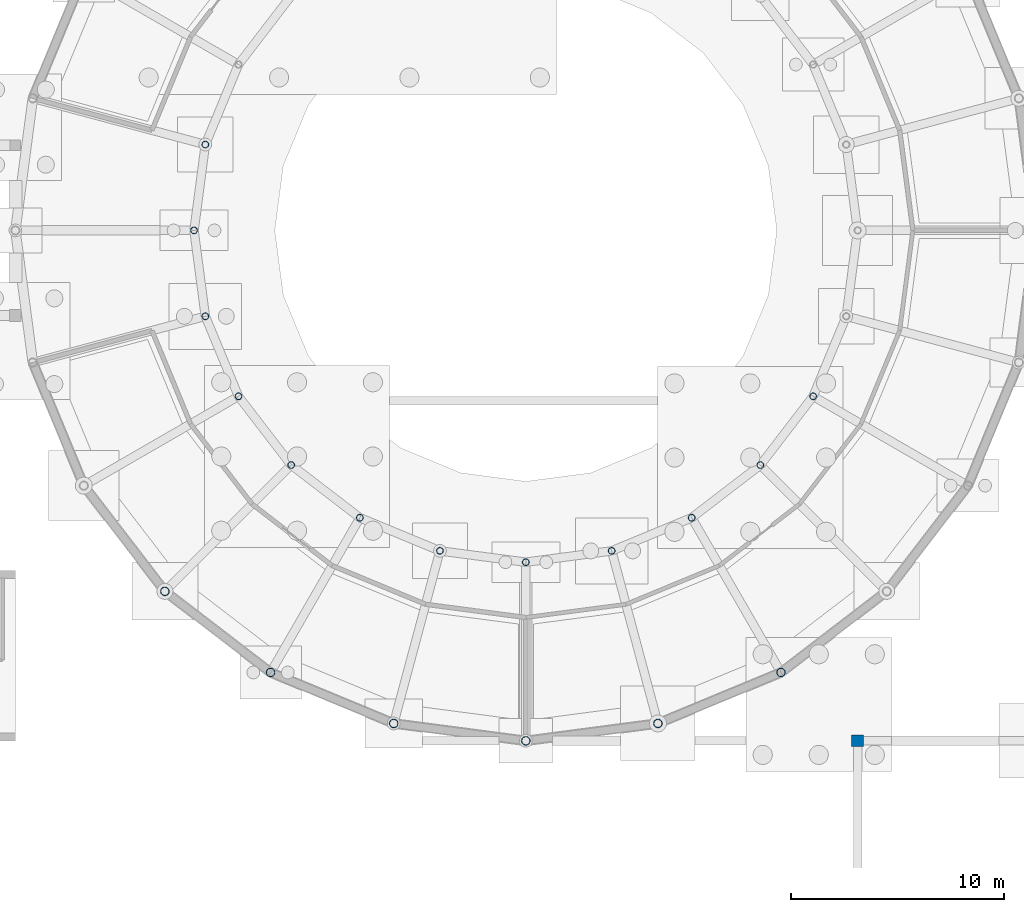
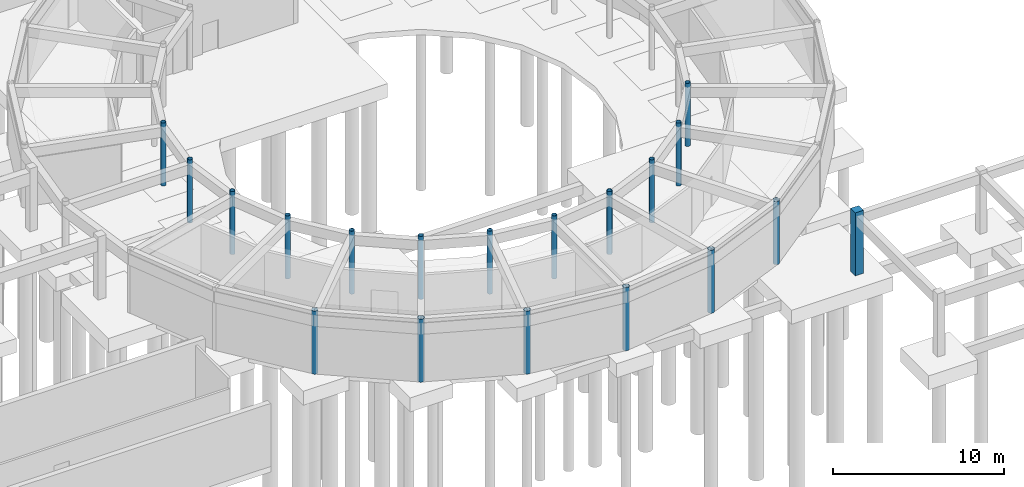
# One storey, part 14 of 43: 19 columns.
"""IFC4 building model written with IfcOpenShell, lengths in metres."""

from ifc_helpers import new_model, si_unit, derived_unit, direction, frame, origin, origin_2d, place, context, subcontext, project, spatial, rectangle, hollow_circle, extrude, material, material_profile, profile_set, type_object, element, save


model = new_model("IFC4")

# Units and contexts
model_context = context("Model", 3, precision=1e-05, world=origin(), true_north=direction((0.0, 1.0)))
body_context = subcontext(model_context, "Body", "Model", "MODEL_VIEW")
ifc_project = project(units=[si_unit("LENGTHUNIT", "METRE"), si_unit("AREAUNIT", "SQUARE_METRE"), si_unit("VOLUMEUNIT", "CUBIC_METRE"), si_unit("PLANEANGLEUNIT", "RADIAN"), si_unit("MASSUNIT", "GRAM", prefix="KILO"), derived_unit("THERMALTRANSMITTANCEUNIT", [(si_unit("POWERUNIT", "WATT"), 1), (si_unit("AREAUNIT", "SQUARE_METRE"), -1), (si_unit("THERMODYNAMICTEMPERATUREUNIT", "KELVIN"), -1)])], contexts=[model_context])

# Site, building, storey
site_placement = place(None, origin())
site = spatial("IfcSite", under=ifc_project, at=site_placement, CompositionType="ELEMENT")
building_placement = place(site_placement, origin())
building = spatial("IfcBuilding", under=site, at=building_placement, Name="Yasenodar Specialist Clinic", CompositionType="ELEMENT")
storey_placement = place(building_placement, frame((0.0, 0.0, -4.5)))
storey = spatial("IfcBuildingStorey", under=building, at=storey_placement, Name="B1", CompositionType="ELEMENT", Elevation=-4.5)

# Columns
ifc_material_1 = material(Name="Concrete C35/45", Category="concrete")
ifc_material_profile_1 = material_profile(ifc_material_1, rectangle(XDim=0.550048828125, YDim=0.550048828125, at=origin_2d()), Name="RC 550x550")
ifc_profile_set_1 = profile_set([ifc_material_profile_1], Name="Concrete C35/45")
column_type_1 = type_object("IfcColumnType", Name="COL-RC-550", PredefinedType="COLUMN", material=ifc_profile_set_1)
column_placement = place(storey_placement, frame((96.60009765625, 34.800048828125, 0.0), z_axis=(0.0, 0.0, 1.0), x_axis=(1.0, 0.0, 0.0)))
element("IfcColumn", 1, at=column_placement, inside=storey, type_object=column_type_1, Name="B1 Column V3-112", PredefinedType="COLUMN", context=body_context, shape_type="SweptSolid", body=[
    extrude(rectangle(XDim=0.550048828125, YDim=0.550048828125, at=origin_2d()), origin(), (0.0, 0.0, 1.0), 4.5),
])
ifc_material_2 = material(Name="Steel S355", Category="steel")
ifc_material_profile_2 = material_profile(ifc_material_2, hollow_circle(Radius=0.161865234375, WallThickness=0.01611328125, at=origin_2d()), Name="CHS 323.9x16")
ifc_profile_set_2 = profile_set([ifc_material_profile_2], Name="Steel S355")
column_type_2 = type_object("IfcColumnType", Name="COL-ST-CHS324", PredefinedType="COLUMN", material=ifc_profile_set_2)
for number, where, z_axis, x_axis, name in (
    (2, (65.931640625, 62.837646484375, 0.0), (0.0, 0.0, 1.0), (1.0, 0.0, 0.0), "B1 Drum V1 Inner Column 12"),
    (3, (65.39990234375, 58.800048828125, 0.0), (0.0, 0.0, 1.0), (1.0, 0.0, 0.0), "B1 Drum V1 Inner Column 13"),
    (4, (65.931640625, 54.762451171875, 0.0), (0.0, 0.0, 1.0), (1.0, 0.0, 0.0), "B1 Drum V1 Inner Column 14"),
    (5, (67.489990234375, 51.0, 0.0), (0.0, 0.0, 1.0), (1.0, 0.0, 0.0), "B1 Drum V1 Inner Column 15"),
    (6, (69.968994140625, 47.76904296875, 0.0), (0.0, 0.0, 1.0), (1.0, 0.0, 0.0), "B1 Drum V1 Inner Column 16"),
    (7, (73.199951171875, 45.2900390625, 0.0), (0.0, 0.0, 1.0), (1.0, 0.0, 0.0), "B1 Drum V1 Inner Column 17"),
    (8, (76.96240234375, 43.731689453125, 0.0), (0.0, 0.0, 1.0), (1.0, 0.0, 0.0), "B1 Drum V1 Inner Column 18"),
    (9, (81.0, 43.199951171875, 0.0), (0.0, 0.0, 1.0), (1.0, 0.0, 0.0), "B1 Drum V1 Inner Column 19"),
    (10, (85.03759765625, 43.731689453125, 0.0), (0.0, 0.0, 1.0), (1.0, 0.0, 0.0), "B1 Drum V1 Inner Column 20"),
    (11, (88.800048828125, 45.2900390625, 0.0), (0.0, 0.0, 1.0), (1.0, 0.0, 0.0), "B1 Drum V1 Inner Column 21"),
    (12, (92.031005859375, 47.76904296875, 0.0), (0.0, 0.0, 1.0), (1.0, 0.0, 0.0), "B1 Drum V1 Inner Column 22"),
    (13, (94.510009765625, 51.0, 0.0), (0.0, 0.0, 1.0), (1.0, 0.0, 0.0), "B1 Drum V1 Inner Column 23"),
):
    element("IfcColumn", number, at=place(storey_placement, frame(where, z_axis=z_axis, x_axis=x_axis)), inside=storey, type_object=column_type_2, Name=name, PredefinedType="COLUMN", context=body_context, shape_type="SweptSolid", body=[
        extrude(hollow_circle(Radius=0.161865234375, WallThickness=0.01611328125, at=origin_2d()), origin(), (0.0, 0.0, 1.0), 4.5),
    ])
ifc_material_profile_3 = material_profile(ifc_material_2, hollow_circle(Radius=0.203125, WallThickness=0.01611328125, at=origin_2d()), Name="CHS 406.4x16")
ifc_profile_set_3 = profile_set([ifc_material_profile_3], Name="Steel S355")
column_type_3 = type_object("IfcColumnType", Name="COL-ST-CHS406", PredefinedType="COLUMN", material=ifc_profile_set_3)
for number, where, z_axis, x_axis, name in (
    (14, (64.029296875, 41.829345703125, 0.0), (0.0, 0.0, 1.0), (1.0, 0.0, 0.0), "B1 Drum V1 Outer Column 16"),
    (15, (69.0, 38.015380859375, 0.0), (0.0, 0.0, 1.0), (1.0, 0.0, 0.0), "B1 Drum V1 Outer Column 17"),
    (16, (74.788330078125, 35.617919921875, 0.0), (0.0, 0.0, 1.0), (1.0, 0.0, 0.0), "B1 Drum V1 Outer Column 18"),
    (17, (81.0, 34.800048828125, 0.0), (0.0, 0.0, 1.0), (1.0, 0.0, 0.0), "B1 Drum V1 Outer Column 19"),
    (18, (87.211669921875, 35.617919921875, 0.0), (0.0, 0.0, 1.0), (1.0, 0.0, 0.0), "B1 Drum V1 Outer Column 20"),
    (19, (93.0, 38.015380859375, 0.0), (0.0, 0.0, 1.0), (1.0, 0.0, 0.0), "B1 Drum V1 Outer Column 21"),
):
    element("IfcColumn", number, at=place(storey_placement, frame(where, z_axis=z_axis, x_axis=x_axis)), inside=storey, type_object=column_type_3, Name=name, PredefinedType="COLUMN", context=body_context, shape_type="SweptSolid", body=[
        extrude(hollow_circle(Radius=0.203125, WallThickness=0.01611328125, at=origin_2d()), origin(), (0.0, 0.0, 1.0), 4.5),
    ])

save(model, "model.ifc")
